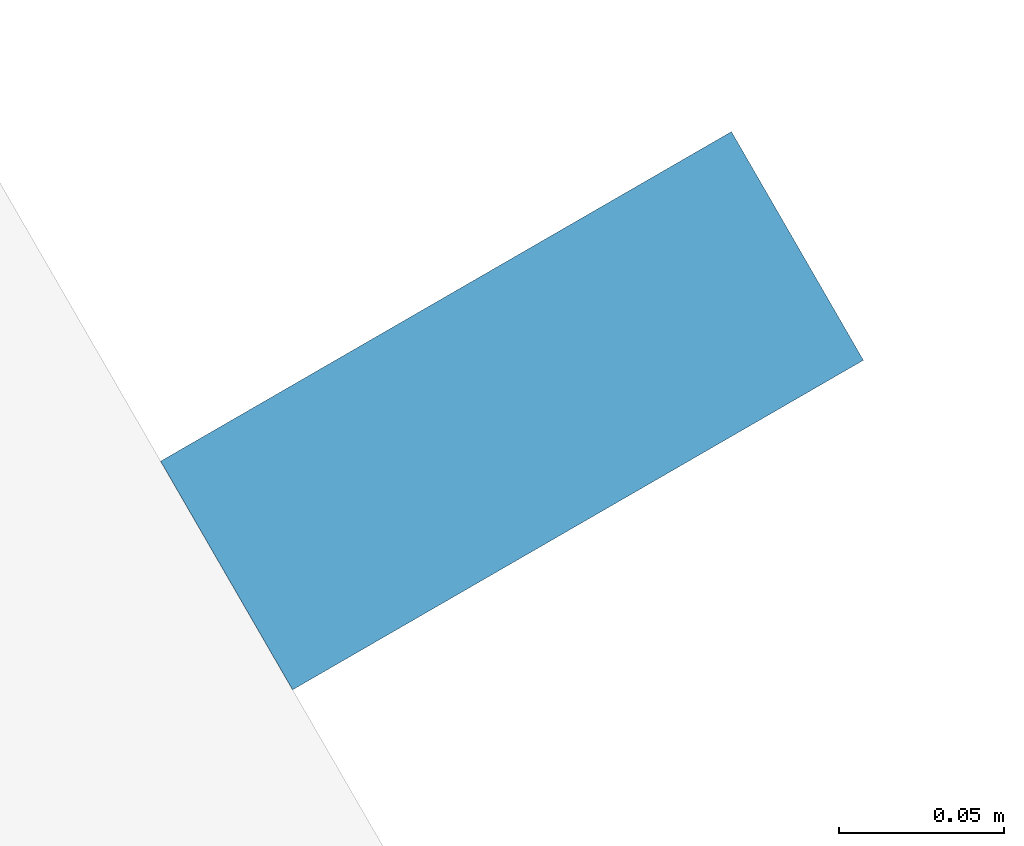
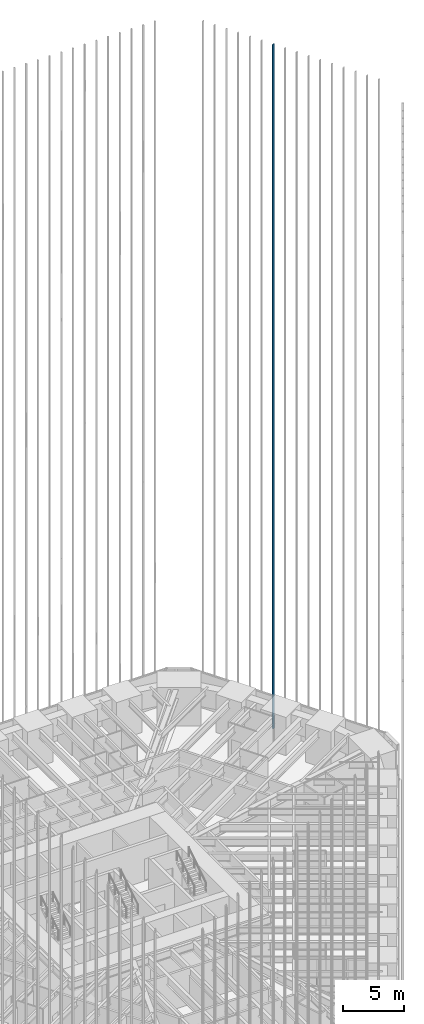
# One storey, part 212 of 256: 1 member, 1 element without a shape of its own.
"""IFC4 building model written with IfcOpenShell, lengths in metres."""

from ifc_helpers import new_model, si_unit, direction, frame, origin, origin_2d, place, context, subcontext, project, spatial, rectangle, extrude, material, material_profile, profile_set, type_object, element, aggregate, save


model = new_model("IFC4")

# Units and contexts
model_context = context("Model", 3, precision=1e-05, world=origin(), true_north=direction((0.0, 1.0)))
body_context = subcontext(model_context, "Body", "Model", "MODEL_VIEW")
ifc_project = project(units=[si_unit("LENGTHUNIT", "METRE"), si_unit("AREAUNIT", "SQUARE_METRE"), si_unit("VOLUMEUNIT", "CUBIC_METRE"), si_unit("PLANEANGLEUNIT", "RADIAN"), si_unit("MASSUNIT", "GRAM", prefix="KILO")], contexts=[model_context])

# Site, building, storey
site_placement = place(None, origin())
site = spatial("IfcSite", under=ifc_project, at=site_placement, CompositionType="ELEMENT")
building_placement = place(site_placement, origin())
building = spatial("IfcBuilding", under=site, at=building_placement, Name="Sandreach Pilgrim Tower", CompositionType="ELEMENT")
storey_placement = place(building_placement, frame((0.0, 0.0, 23.0)))
storey = spatial("IfcBuildingStorey", under=building, at=storey_placement, Name="L04", CompositionType="ELEMENT", Elevation=23.0)

# Curtain wall, member
ifc_material_1 = material(Name="Aluminium framed curtain wall", Category="aluminium")
curtain_wall_type = type_object("IfcCurtainWallType", Name="Hostel tower curtain wall", PredefinedType="NOTDEFINED", material=ifc_material_1)
curtain_wall_placement = place(storey_placement, origin())
curtain_wall = element("IfcCurtainWall", 1, at=curtain_wall_placement, inside=storey, type_object=curtain_wall_type, Name="CW-1 L04 NE", PredefinedType="NOTDEFINED")
ifc_material_2 = material(Name="Extruded terracotta on aluminium core", Category="masonry")
ifc_material_profile = material_profile(ifc_material_2, rectangle(XDim=0.080078125, YDim=0.199951171875, at=origin_2d()), Name="TBE 80X200")
ifc_profile_set = profile_set([ifc_material_profile], Name="Extruded terracotta on aluminium core")
member_type = type_object("IfcMemberType", Name="Terracotta baguette east", PredefinedType="USERDEFINED", material=ifc_profile_set)
member_placement = place(storey_placement, frame((25.5068359375, 16.642578125, 0.0), z_axis=(0.0, 0.0, 1.0), x_axis=(0.5, -0.866025403784, 0.0)))
member = element("IfcMember", 2, at=member_placement, type_object=member_type, Name="Baguette Z1 NE07", ObjectType="BAGUETTE", PredefinedType="USERDEFINED", context=body_context, shape_type="SweptSolid", body=[
    extrude(rectangle(XDim=0.080078125, YDim=0.199951171875, at=origin_2d()), origin(), (0.0, 0.0, 1.0), 68.239990234375),
])
aggregate(curtain_wall, [member])

save(model, "model.ifc")
